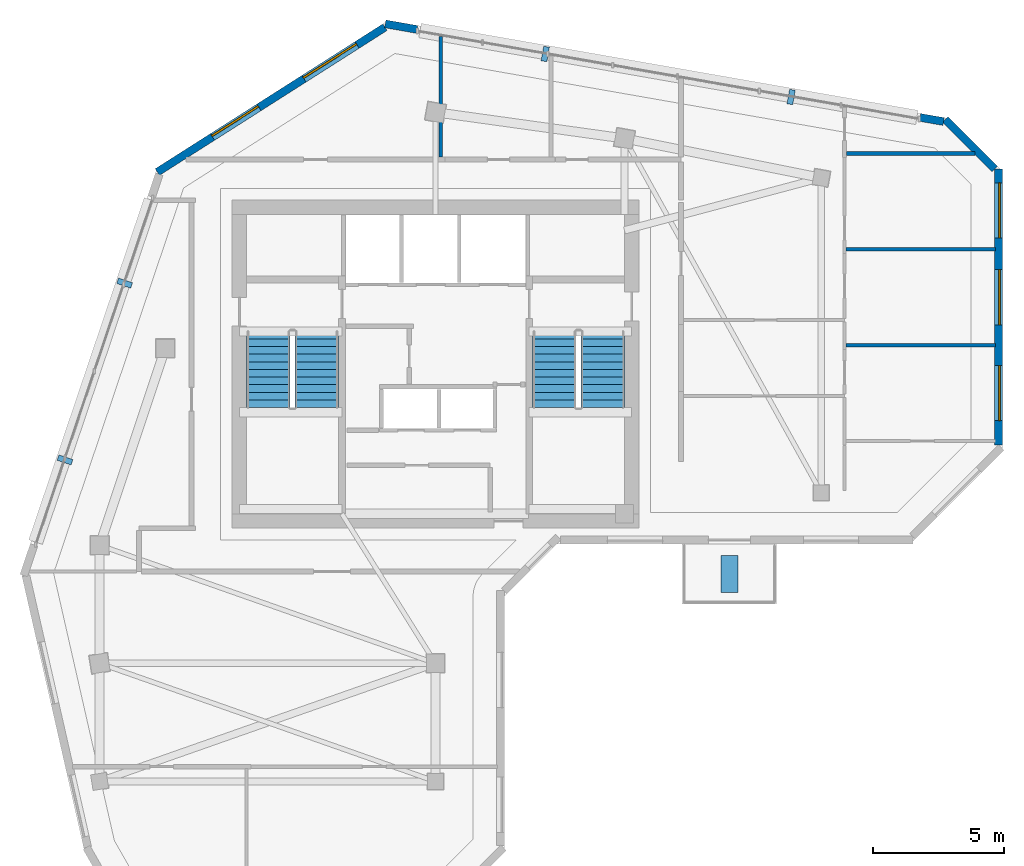
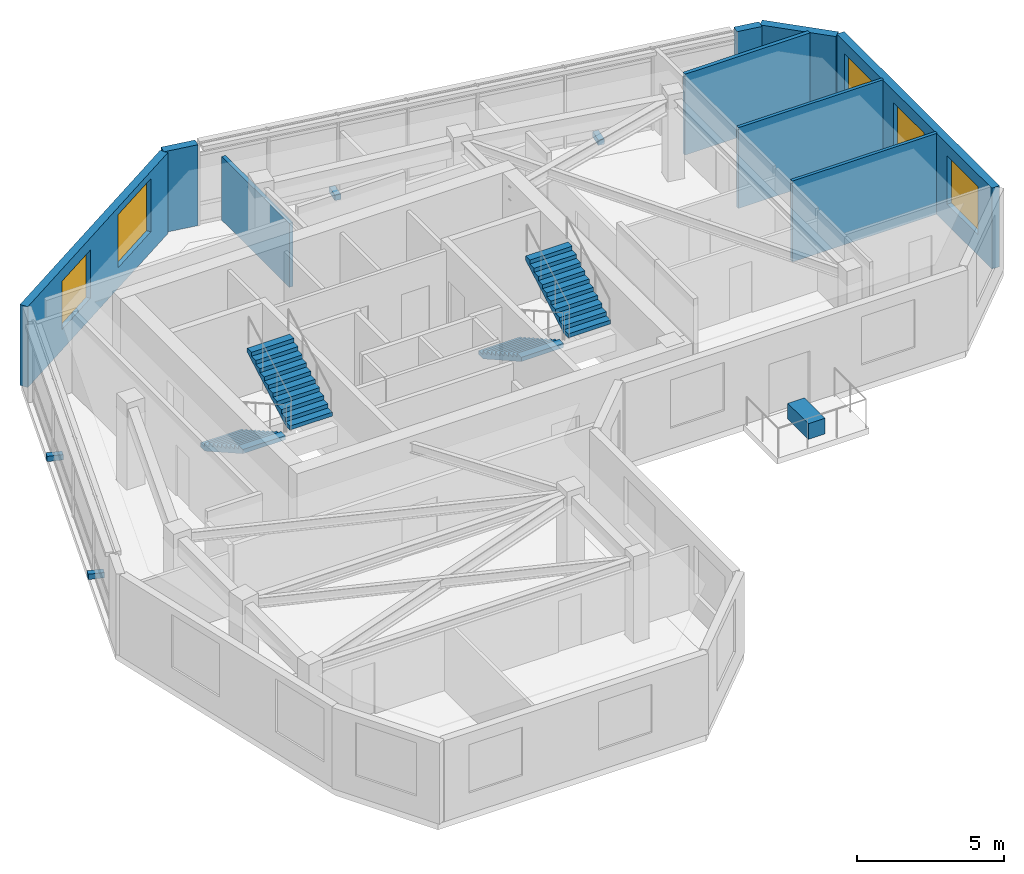
# One storey, part 6 of 9: 9 walls, 5 discrete accessories, 5 windows, 4 stair flights, 5 openings, 2 elements without a shape of their own.
"""IFC4 building model written with IfcOpenShell, lengths in metres."""

from ifc_helpers import new_model, si_unit, direction, frame, frame_2d, origin, origin_2d, place, context, subcontext, project, spatial, polyline, rectangle, outline, extrude, source, transform, mapped, material, layer, layer_set, type_object, element, fill, aggregate, save


model = new_model("IFC4")

# Units and contexts
model_context = context("Model", 3, precision=1e-05, world=origin(), true_north=direction((0.0, 1.0)))
body_context = subcontext(model_context, "Body", "Model", "MODEL_VIEW")
ifc_project = project(units=[si_unit("LENGTHUNIT", "METRE"), si_unit("AREAUNIT", "SQUARE_METRE"), si_unit("VOLUMEUNIT", "CUBIC_METRE"), si_unit("PLANEANGLEUNIT", "RADIAN"), si_unit("MASSUNIT", "GRAM", prefix="KILO")], contexts=[model_context])

# Site, building, storey
site_placement = place(None, origin())
site = spatial("IfcSite", under=ifc_project, at=site_placement, CompositionType="ELEMENT")
building_placement = place(site_placement, origin())
building = spatial("IfcBuilding", under=site, at=building_placement, Name="Calvemar Wedge Station Tower", CompositionType="ELEMENT")
storey_placement = place(building_placement, frame((0.0, 0.0, 270.89990234375)))
storey = spatial("IfcBuildingStorey", under=building, at=storey_placement, Name="L69", CompositionType="ELEMENT", Elevation=270.89990234375)

# Wall, openings, windows
ifc_material_1 = material(Name="Precast concrete C45", Category="concrete")
ifc_layer_1 = layer(ifc_material_1, 0.300048828125)
ifc_layer_set_1 = layer_set([ifc_layer_1], Name="Precast concrete C45")
wall_type_1 = type_object("IfcWallType", Name="W-EXT-GFRC-300", PredefinedType="SOLIDWALL", material=ifc_layer_set_1)
wall_1_placement = place(storey_placement, frame((45.25, 36.813232421875, 0.0), z_axis=(0.0, 0.0, 1.0), x_axis=(0.0, 1.0, 0.0)))
wall_1 = element("IfcWall", 1, at=wall_1_placement, inside=storey, type_object=wall_type_1, Name="Storey L69 Bronze GFRC Exterior Wall 8", PredefinedType="SOLIDWALL", context=body_context, shape_type="SweptSolid", body=[
    extrude(rectangle(XDim=10.53076171875, YDim=0.300048828125, at=frame_2d((5.265380859375, 0.0))), origin(), (0.0, 0.0, 1.0), 3.35009765625),
])
shared_shape_1 = source(origin(), body_context, "Body", "SweptSolid", [
    extrude(rectangle(XDim=2.10009765625, YDim=2.0, at=frame_2d((1.050048828125, 1.0))), frame((0.0, 0.16015625, 0.0), z_axis=(0.0, -1.0, 0.0), x_axis=(1.0, 0.0, 0.0)), (0.0, 0.0, 1.0), 0.320068359375),
])
opening_1_placement = place(wall_1_placement, frame((0.93603515625, 0.0, 0.85009765625)))
opening_1 = element("IfcOpeningElement", 2, at=opening_1_placement, cuts=wall_1, Name="Opening W4", PredefinedType="OPENING", context=body_context, shape_type="MappedRepresentation", body=[
    mapped(shared_shape_1, transform((0.0, 0.0, 0.0), scale=1.0)),
])
opening_2_placement = place(wall_1_placement, frame((4.589111328125, 0.0, 0.85009765625)))
opening_2 = element("IfcOpeningElement", 3, at=opening_2_placement, cuts=wall_1, Name="Opening W4", PredefinedType="OPENING", context=body_context, shape_type="MappedRepresentation", body=[
    mapped(shared_shape_1, transform((0.0, 0.0, 0.0), scale=1.0)),
])
opening_3_placement = place(wall_1_placement, frame((7.89794921875, 0.0, 0.85009765625)))
opening_3 = element("IfcOpeningElement", 4, at=opening_3_placement, cuts=wall_1, Name="Opening W4", PredefinedType="OPENING", context=body_context, shape_type="MappedRepresentation", body=[
    mapped(shared_shape_1, transform((0.0, 0.0, 0.0), scale=1.0)),
])
ifc_material_2 = material(Name="Low-E laminated insulated glass", Category="glass")
window_type_1 = type_object("IfcWindowType", Name="WIN-EXT-4", PartitioningType="SINGLE_PANEL", PredefinedType="WINDOW", material=ifc_material_2)
shared_shape_2 = source(origin(), body_context, "Body", "SweptSolid", [
    extrude(rectangle(XDim=2.10009765625, YDim=2.0, at=frame_2d((1.050048828125, 1.0))), frame((0.0, -0.014892578125, 0.0), z_axis=(0.0, -1.0, 0.0), x_axis=(1.0, 0.0, 0.0)), (0.0, 0.0, 1.0), 0.06005859375),
])
window_1_placement = place(opening_1_placement, origin())
window_1 = element("IfcWindow", 5, at=window_1_placement, inside=storey, type_object=window_type_1, Name="Storey L69 Recessed Window 8.1", OverallHeight=2.0, OverallWidth=2.10009765625, PartitioningType="SINGLE_PANEL", PredefinedType="WINDOW", context=body_context, shape_type="MappedRepresentation", body=[
    mapped(shared_shape_2, transform((0.0, 0.0, 0.0), scale=1.0)),
])
fill(opening_1, window_1)
window_2_placement = place(opening_2_placement, origin())
window_2 = element("IfcWindow", 6, at=window_2_placement, inside=storey, type_object=window_type_1, Name="Storey L69 Recessed Window 8.2", OverallHeight=2.0, OverallWidth=2.10009765625, PartitioningType="SINGLE_PANEL", PredefinedType="WINDOW", context=body_context, shape_type="MappedRepresentation", body=[
    mapped(shared_shape_2, transform((0.0, 0.0, 0.0), scale=1.0)),
])
fill(opening_2, window_2)
window_3_placement = place(opening_3_placement, origin())
window_3 = element("IfcWindow", 7, at=window_3_placement, inside=storey, type_object=window_type_1, Name="Storey L69 Recessed Window 8.3", OverallHeight=2.0, OverallWidth=2.10009765625, PartitioningType="SINGLE_PANEL", PredefinedType="WINDOW", context=body_context, shape_type="MappedRepresentation", body=[
    mapped(shared_shape_2, transform((0.0, 0.0, 0.0), scale=1.0)),
])
fill(opening_3, window_3)

# Walls
wall_2_placement = place(storey_placement, frame((45.112060546875, 47.331787109375, 0.0), z_axis=(0.0, 0.0, 1.0), x_axis=(-0.707106781187, 0.707106781187, 0.0)))
element("IfcWall", 8, at=wall_2_placement, inside=storey, type_object=wall_type_1, Name="Storey L69 Bronze GFRC Exterior Wall 9", PredefinedType="SOLIDWALL", context=body_context, shape_type="SweptSolid", body=[
    extrude(rectangle(XDim=2.673828125, YDim=0.300048828125, at=frame_2d((1.3369140625, 0.0))), origin(), (0.0, 0.0, 1.0), 3.35009765625),
])
wall_3_placement = place(storey_placement, frame((43.161376953125, 49.1455078125, 0.0), z_axis=(0.0, 0.0, 1.0), x_axis=(-0.985052066521, 0.172256861238, 0.0)))
element("IfcWall", 9, at=wall_3_placement, inside=storey, type_object=wall_type_1, Name="Storey L69 Bronze GFRC Corner Pier 10A", PredefinedType="SOLIDWALL", context=body_context, shape_type="SweptSolid", body=[
    extrude(rectangle(XDim=0.911376953125, YDim=0.300048828125, at=frame_2d((0.45556640625, 0.0))), origin(), (0.0, 0.0, 1.0), 3.35009765625),
])
wall_4_placement = place(storey_placement, frame((23.09521484375, 52.656005859375, 0.0), z_axis=(0.0, 0.0, 1.0), x_axis=(-0.985008549623, 0.172505527937, 0.0)))
element("IfcWall", 10, at=wall_4_placement, inside=storey, type_object=wall_type_1, Name="Storey L69 Bronze GFRC Corner Pier 10B", PredefinedType="SOLIDWALL", context=body_context, shape_type="SweptSolid", body=[
    extrude(rectangle(XDim=1.22998046875, YDim=0.300048828125, at=frame_2d((0.614990234375, 0.0))), origin(), (0.0, 0.0, 1.0), 3.35009765625),
])

# Wall, openings, windows
wall_5_placement = place(storey_placement, frame((21.873779296875, 52.741943359375, 0.0), z_axis=(0.0, 0.0, 1.0), x_axis=(-0.84365659959, -0.536883173482, 0.0)))
wall_5 = element("IfcWall", 11, at=wall_5_placement, inside=storey, type_object=wall_type_1, Name="Storey L69 Bronze GFRC Exterior Wall 11", PredefinedType="SOLIDWALL", context=body_context, shape_type="SweptSolid", body=[
    extrude(rectangle(XDim=10.282958984375, YDim=0.300048828125, at=frame_2d((5.1416015625, 0.0))), origin(), (0.0, 0.0, 1.0), 3.35009765625),
])
shared_shape_3 = source(origin(), body_context, "Body", "SweptSolid", [
    extrude(rectangle(XDim=2.39990234375, YDim=2.199951171875, at=frame_2d((1.199951171875, 1.10009765625))), frame((0.0, 0.16015625, 0.0), z_axis=(0.0, -1.0, 0.0), x_axis=(1.0, 0.0, 0.0)), (0.0, 0.0, 1.0), 0.320068359375),
])
opening_4_placement = place(wall_5_placement, frame((1.260009765625, 0.0, 0.85009765625)))
opening_4 = element("IfcOpeningElement", 12, at=opening_4_placement, cuts=wall_5, Name="Opening W1", PredefinedType="OPENING", context=body_context, shape_type="MappedRepresentation", body=[
    mapped(shared_shape_3, transform((0.0, 0.0, 0.0), scale=1.0)),
])
opening_5_placement = place(wall_5_placement, frame((5.68994140625, 0.0, 0.85009765625)))
opening_5 = element("IfcOpeningElement", 13, at=opening_5_placement, cuts=wall_5, Name="Opening W4", PredefinedType="OPENING", context=body_context, shape_type="MappedRepresentation", body=[
    mapped(shared_shape_1, transform((0.0, 0.0, 0.0), scale=1.0)),
])
window_4_placement = place(opening_5_placement, origin())
window_4 = element("IfcWindow", 14, at=window_4_placement, inside=storey, type_object=window_type_1, Name="Storey L69 Recessed Window 11.2", OverallHeight=2.0, OverallWidth=2.10009765625, PartitioningType="SINGLE_PANEL", PredefinedType="WINDOW", context=body_context, shape_type="MappedRepresentation", body=[
    mapped(shared_shape_2, transform((0.0, 0.0, 0.0), scale=1.0)),
])
fill(opening_5, window_4)
window_type_2 = type_object("IfcWindowType", Name="WIN-EXT-1", PartitioningType="SINGLE_PANEL", PredefinedType="WINDOW", material=ifc_material_2)
shared_shape_4 = source(origin(), body_context, "Body", "SweptSolid", [
    extrude(rectangle(XDim=2.39990234375, YDim=2.199951171875, at=frame_2d((1.199951171875, 1.10009765625))), frame((0.0, -0.014892578125, 0.0), z_axis=(0.0, -1.0, 0.0), x_axis=(1.0, 0.0, 0.0)), (0.0, 0.0, 1.0), 0.06005859375),
])
window_5_placement = place(opening_4_placement, origin())
window_5 = element("IfcWindow", 15, at=window_5_placement, inside=storey, type_object=window_type_2, Name="Storey L69 Recessed Window 11.1", OverallHeight=2.199951171875, OverallWidth=2.39990234375, PartitioningType="SINGLE_PANEL", PredefinedType="WINDOW", context=body_context, shape_type="MappedRepresentation", body=[
    mapped(shared_shape_4, transform((0.0, 0.0, 0.0), scale=1.0)),
])
fill(opening_4, window_5)

# Walls
ifc_material_3 = material(Name="Insulated acoustic gypsum stud partition")
ifc_layer_2 = layer(ifc_material_3, 0.125)
ifc_layer_set_2 = layer_set([ifc_layer_2], Name="Insulated acoustic gypsum stud partition")
wall_type_2 = type_object("IfcWallType", Name="W-PART-125", PredefinedType="PARTITIONING", material=ifc_layer_set_2)
for number, where, z_axis, x_axis, name in (
    (16, (45.135009765625, 44.278076171875, 0.0), (0.0, 0.0, 1.0), (-1.0, 0.0, 0.0), "Storey L69 Interior Partition WL-L69-033"),
    (17, (45.135009765625, 40.6259765625, 0.0), (0.0, 0.0, 1.0), (-1.0, 0.0, 0.0), "Storey L69 Interior Partition WL-L69-034"),
):
    element("IfcWall", number, at=place(storey_placement, frame(where, z_axis=z_axis, x_axis=x_axis)), inside=storey, type_object=wall_type_2, Name=name, PredefinedType="PARTITIONING", context=body_context, shape_type="SweptSolid", body=[
        extrude(rectangle(XDim=5.6865234375, YDim=0.125, at=frame_2d((2.84326171875, 0.0))), origin(), (0.0, 0.0, 1.0), 3.35009765625),
    ])
ifc_material_4 = material(Name="Moisture-resistant acoustic bathroom partition")
ifc_layer_3 = layer(ifc_material_4, 0.14990234375)
ifc_layer_set_3 = layer_set([ifc_layer_3], Name="Moisture-resistant acoustic bathroom partition")
wall_type_3 = type_object("IfcWallType", Name="W-WET-150", PredefinedType="PARTITIONING", material=ifc_layer_set_3)
wall_6_placement = place(storey_placement, frame((24.0, 52.381103515625, 0.0), z_axis=(0.0, 0.0, 1.0), x_axis=(0.0, -1.0, 0.0)))
element("IfcWall", 18, at=wall_6_placement, inside=storey, type_object=wall_type_3, Name="Storey L69 Interior Partition WL-L69-020", PredefinedType="PARTITIONING", context=body_context, shape_type="SweptSolid", body=[
    extrude(rectangle(XDim=4.587158203125, YDim=0.14990234375, at=frame_2d((2.29345703125, 0.0))), origin(), (0.0, 0.0, 1.0), 2.64208984375),
])
wall_7_placement = place(storey_placement, frame((44.351318359375, 47.929931640625, 0.0), z_axis=(0.0, 0.0, 1.0), x_axis=(-1.0, 0.0, 0.0)))
element("IfcWall", 19, at=wall_7_placement, inside=storey, type_object=wall_type_3, Name="Storey L69 Interior Partition WL-L69-032", PredefinedType="PARTITIONING", context=body_context, shape_type="SweptSolid", body=[
    extrude(rectangle(XDim=4.890380859375, YDim=0.14990234375, at=frame_2d((2.4453125, 0.0))), origin(), (0.0, 0.0, 1.0), 3.35009765625),
])

# Stair, stair flights
ifc_material_5 = material(Name="Concrete C45", Category="concrete")
stair_type = type_object("IfcStairType", Name="ST-TYPE-3600", PredefinedType="HALF_TURN_STAIR", material=ifc_material_5)
stair_1_placement = place(storey_placement, origin())
stair_1 = element("IfcStair", 20, at=stair_1_placement, inside=storey, type_object=stair_type, Name="L69 Pressurized Core Exit Stair ST-C1", PredefinedType="HALF_TURN_STAIR")
stair_flight_type = type_object("IfcStairFlightType", Name="STF-TYPE-3600", PredefinedType="STRAIGHT", material=ifc_material_5)
stair_flight_1_placement = place(storey_placement, frame((17.429931640625, 41.14990234375, 0.0), z_axis=(0.0, 0.0, 1.0), x_axis=(0.0, -1.0, 0.0)))
stair_flight_1 = element("IfcStairFlight", 21, at=stair_flight_1_placement, type_object=stair_flight_type, Name="ST-C1 flight 1", NumberOfRisers=11, NumberOfTreads=10, PredefinedType="STRAIGHT", RiserHeight=0.163636364, TreadLength=0.29, context=body_context, shape_type="SweptSolid", body=[
    extrude(outline(polyline([(0.0, 0.0), (0.0, 0.16357421875), (0.2900390625, 0.16357421875), (0.2900390625, 0.327392578125), (0.580078125, 0.327392578125), (0.580078125, 0.490966796875), (0.8701171875, 0.490966796875), (0.8701171875, 0.654541015625), (1.159912109375, 0.654541015625), (1.159912109375, 0.818115234375), (1.449951171875, 0.818115234375), (1.449951171875, 0.98193359375), (1.739990234375, 0.98193359375), (1.739990234375, 1.1455078125), (2.030029296875, 1.1455078125), (2.030029296875, 1.30908203125), (2.320068359375, 1.30908203125), (2.320068359375, 1.47265625), (2.610107421875, 1.47265625), (2.610107421875, 1.636474609375), (2.89990234375, 1.636474609375), (2.89990234375, 1.800048828125), (2.89990234375, 1.46435546875), (0.304931640625, 0.0), (0.0, 0.0)])), frame((0.0, 0.830078125, 0.0), z_axis=(0.0, -1.0, 0.0), x_axis=(1.0, 0.0, 0.0)), (0.0, 0.0, 1.0), 1.659912109375),
])
stair_flight_2_placement = place(storey_placement, frame((19.27001953125, 38.25, 1.800048828125), z_axis=(0.0, 0.0, 1.0), x_axis=(0.0, 1.0, 0.0)))
stair_flight_2 = element("IfcStairFlight", 22, at=stair_flight_2_placement, type_object=stair_flight_type, Name="ST-C1 flight 2", NumberOfRisers=11, NumberOfTreads=10, PredefinedType="STRAIGHT", RiserHeight=0.163636364, TreadLength=0.29, context=body_context, shape_type="SweptSolid", body=[
    extrude(outline(polyline([(0.0, 0.0), (0.0, 0.16357421875), (0.2900390625, 0.16357421875), (0.2900390625, 0.327392578125), (0.580078125, 0.327392578125), (0.580078125, 0.490966796875), (0.8701171875, 0.490966796875), (0.8701171875, 0.654541015625), (1.159912109375, 0.654541015625), (1.159912109375, 0.818115234375), (1.449951171875, 0.818115234375), (1.449951171875, 0.98193359375), (1.739990234375, 0.98193359375), (1.739990234375, 1.1455078125), (2.030029296875, 1.1455078125), (2.030029296875, 1.30908203125), (2.320068359375, 1.30908203125), (2.320068359375, 1.47265625), (2.610107421875, 1.47265625), (2.610107421875, 1.636474609375), (2.89990234375, 1.636474609375), (2.89990234375, 1.800048828125), (2.89990234375, 1.46435546875), (0.304931640625, 0.0), (0.0, 0.0)])), frame((0.0, 0.830078125, 0.0), z_axis=(0.0, -1.0, 0.0), x_axis=(1.0, 0.0, 0.0)), (0.0, 0.0, 1.0), 1.659912109375),
])
aggregate(stair_1, [stair_flight_1, stair_flight_2])

stair_2_placement = place(storey_placement, origin())
stair_2 = element("IfcStair", 23, at=stair_2_placement, inside=storey, type_object=stair_type, Name="L69 Pressurized Core Exit Stair ST-C2", PredefinedType="HALF_TURN_STAIR")
stair_flight_3_placement = place(storey_placement, frame((28.330078125, 41.14990234375, 0.0), z_axis=(0.0, 0.0, 1.0), x_axis=(0.0, -1.0, 0.0)))
stair_flight_3 = element("IfcStairFlight", 24, at=stair_flight_3_placement, type_object=stair_flight_type, Name="ST-C2 flight 1", NumberOfRisers=11, NumberOfTreads=10, PredefinedType="STRAIGHT", RiserHeight=0.163636364, TreadLength=0.29, context=body_context, shape_type="SweptSolid", body=[
    extrude(outline(polyline([(0.0, 0.0), (0.0, 0.16357421875), (0.2900390625, 0.16357421875), (0.2900390625, 0.327392578125), (0.580078125, 0.327392578125), (0.580078125, 0.490966796875), (0.8701171875, 0.490966796875), (0.8701171875, 0.654541015625), (1.159912109375, 0.654541015625), (1.159912109375, 0.818115234375), (1.449951171875, 0.818115234375), (1.449951171875, 0.98193359375), (1.739990234375, 0.98193359375), (1.739990234375, 1.1455078125), (2.030029296875, 1.1455078125), (2.030029296875, 1.30908203125), (2.320068359375, 1.30908203125), (2.320068359375, 1.47265625), (2.610107421875, 1.47265625), (2.610107421875, 1.636474609375), (2.89990234375, 1.636474609375), (2.89990234375, 1.800048828125), (2.89990234375, 1.46435546875), (0.304931640625, 0.0), (0.0, 0.0)])), frame((0.0, 0.830078125, 0.0), z_axis=(0.0, -1.0, 0.0), x_axis=(1.0, 0.0, 0.0)), (0.0, 0.0, 1.0), 1.659912109375),
])
stair_flight_4_placement = place(storey_placement, frame((30.169921875, 38.25, 1.800048828125), z_axis=(0.0, 0.0, 1.0), x_axis=(0.0, 1.0, 0.0)))
stair_flight_4 = element("IfcStairFlight", 25, at=stair_flight_4_placement, type_object=stair_flight_type, Name="ST-C2 flight 2", NumberOfRisers=11, NumberOfTreads=10, PredefinedType="STRAIGHT", RiserHeight=0.163636364, TreadLength=0.29, context=body_context, shape_type="SweptSolid", body=[
    extrude(outline(polyline([(0.0, 0.0), (0.0, 0.16357421875), (0.2900390625, 0.16357421875), (0.2900390625, 0.327392578125), (0.580078125, 0.327392578125), (0.580078125, 0.490966796875), (0.8701171875, 0.490966796875), (0.8701171875, 0.654541015625), (1.159912109375, 0.654541015625), (1.159912109375, 0.818115234375), (1.449951171875, 0.818115234375), (1.449951171875, 0.98193359375), (1.739990234375, 0.98193359375), (1.739990234375, 1.1455078125), (2.030029296875, 1.1455078125), (2.030029296875, 1.30908203125), (2.320068359375, 1.30908203125), (2.320068359375, 1.47265625), (2.610107421875, 1.47265625), (2.610107421875, 1.636474609375), (2.89990234375, 1.636474609375), (2.89990234375, 1.800048828125), (2.89990234375, 1.46435546875), (0.304931640625, 0.0), (0.0, 0.0)])), frame((0.0, 0.830078125, 0.0), z_axis=(0.0, -1.0, 0.0), x_axis=(1.0, 0.0, 0.0)), (0.0, 0.0, 1.0), 1.659912109375),
])
aggregate(stair_2, [stair_flight_3, stair_flight_4])

# Discrete accessories
ifc_material_6 = material(Name="Stainless steel AISI 316L", Category="steel")
discrete_accessory_type_1 = type_object("IfcDiscreteAccessoryType", Name="BRK-316L", PredefinedType="BRACKET", material=ifc_material_6)
shared_shape_5 = source(origin(), body_context, "Body", "SweptSolid", [
    extrude(rectangle(XDim=0.219970703125, YDim=0.56005859375, at=origin_2d()), origin(), (0.0, 0.0, 1.0), 0.219970703125),
])
for number, where, z_axis, x_axis, name in (
    (26, (37.350830078125, 50.080810546875, 0.0), (0.0, 0.0, 1.0), (-0.985049251562, 0.172272957823, 0.0), "Storey L69 Recessed Facade Stainless Bracket 10.1"),
    (27, (27.98046875, 51.72021484375, 0.0), (0.0, 0.0, 1.0), (-0.985049251562, 0.172272957823, 0.0), "Storey L69 Recessed Facade Stainless Bracket 10.2"),
    (28, (11.95361328125, 42.989501953125, 0.0), (0.0, 0.0, 1.0), (-0.319951634986, -0.947433876991, 0.0), "Storey L69 Recessed Facade Stainless Bracket 12.1"),
    (29, (9.678955078125, 36.253173828125, 0.0), (0.0, 0.0, 1.0), (-0.319951634986, -0.947433876991, 0.0), "Storey L69 Recessed Facade Stainless Bracket 12.2"),
):
    element("IfcDiscreteAccessory", number, at=place(storey_placement, frame(where, z_axis=z_axis, x_axis=x_axis)), inside=storey, type_object=discrete_accessory_type_1, Name=name, PredefinedType="BRACKET", context=body_context, shape_type="MappedRepresentation", body=[
        mapped(shared_shape_5, transform((0.0, 0.0, 0.0), scale=1.0)),
    ])
discrete_accessory_type_2 = type_object("IfcDiscreteAccessoryType", Name="ACC-PLANTER", PredefinedType="USERDEFINED", material=ifc_material_1)
shared_shape_6 = source(origin(), body_context, "Body", "SweptSolid", [
    extrude(rectangle(XDim=0.64990234375, YDim=1.39990234375, at=origin_2d()), origin(), (0.0, 0.0, 1.0), 0.64990234375),
])
discrete_accessory_placement = place(storey_placement, frame((35.0, 31.906005859375, 0.000244140625), z_axis=(0.0, 0.0, 1.0), x_axis=(1.0, 0.0, 0.0)))
element("IfcDiscreteAccessory", 30, at=discrete_accessory_placement, inside=storey, type_object=discrete_accessory_type_2, Name="Storey L69 Planted Terrace GFRC Planter", ObjectType="PLANTER", PredefinedType="USERDEFINED", context=body_context, shape_type="MappedRepresentation", body=[
    mapped(shared_shape_6, transform((0.0, 0.0, 0.0), scale=1.0)),
])

save(model, "model.ifc")
